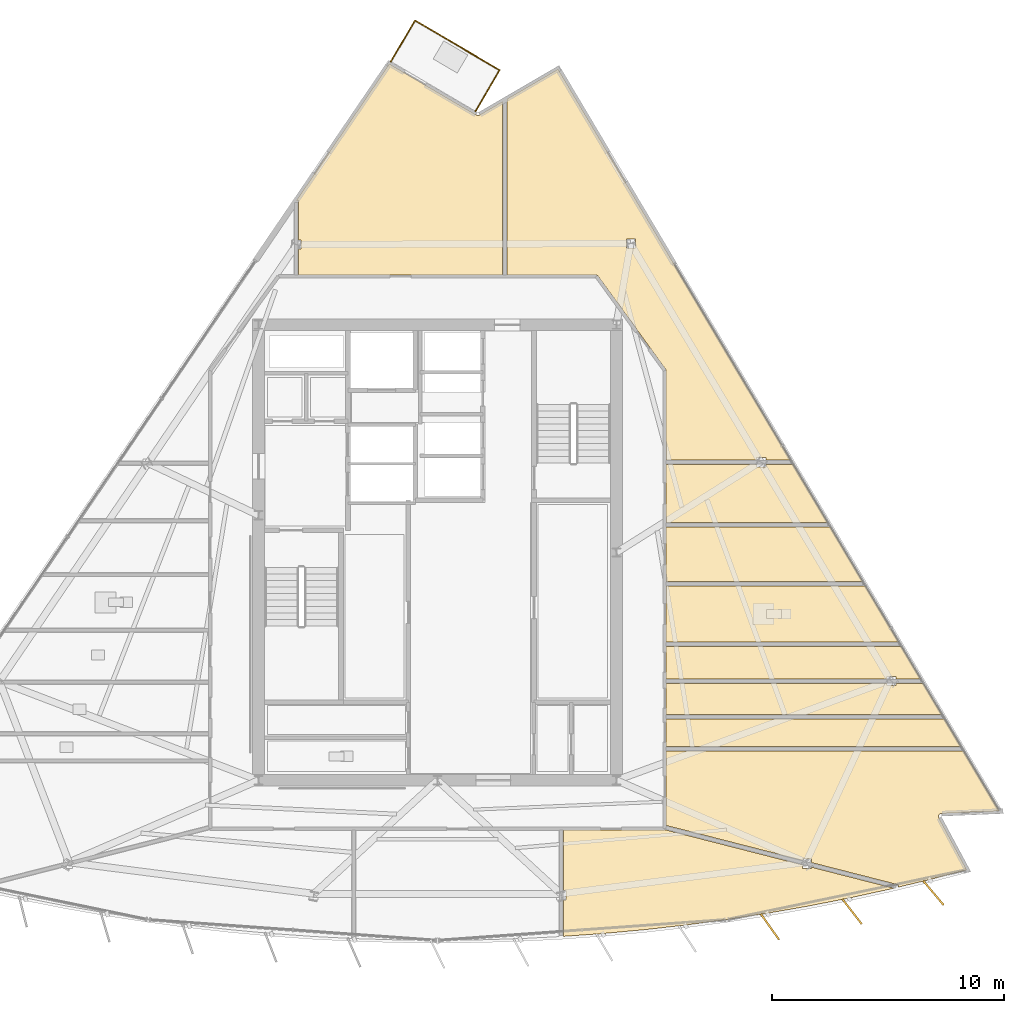
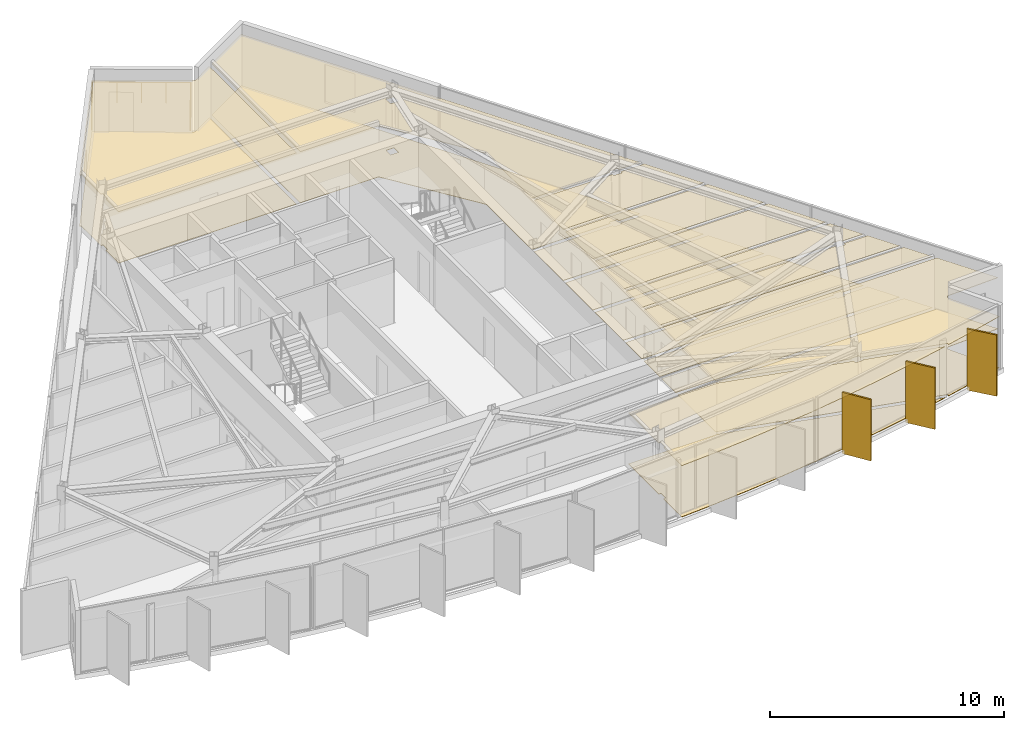
# One storey, part 12 of 13: 20 coverings, 3 railings, 3 shading devices.
"""IFC4 building model written with IfcOpenShell, lengths in metres."""

from ifc_helpers import new_model, si_unit, direction, frame, origin, origin_2d, place, context, subcontext, project, spatial, polyline, rectangle, circle, outline, extrude, material, layer, layer_set, type_object, element, save


model = new_model("IFC4")

# Units and contexts
model_context = context("Model", 3, precision=1e-05, world=origin(), true_north=direction((0.0, 1.0)))
body_context = subcontext(model_context, "Body", "Model", "MODEL_VIEW")
ifc_project = project(units=[si_unit("LENGTHUNIT", "METRE"), si_unit("AREAUNIT", "SQUARE_METRE"), si_unit("VOLUMEUNIT", "CUBIC_METRE"), si_unit("PLANEANGLEUNIT", "RADIAN"), si_unit("MASSUNIT", "GRAM", prefix="KILO")], contexts=[model_context])

# Site, building, storey
site_placement = place(None, origin())
site = spatial("IfcSite", under=ifc_project, at=site_placement, CompositionType="ELEMENT")
building_placement = place(site_placement, origin())
building = spatial("IfcBuilding", under=site, at=building_placement, Name="Savorim Split Tower", CompositionType="ELEMENT")
storey_placement = place(building_placement, frame((0.0, 0.0, 250.800048828125)))
storey = spatial("IfcBuildingStorey", under=building, at=storey_placement, Name="L66", CompositionType="ELEMENT", Elevation=250.800048828125)

# Coverings
ifc_material_1 = material(Name="Mineral Fibre Acoustic Ceiling")
ifc_layer_1 = layer(ifc_material_1, 0.02490234375)
ifc_layer_set_1 = layer_set([ifc_layer_1], Name="COV-CEIL-25")
covering_type_1 = type_object("IfcCoveringType", Name="COV-CEIL-25", PredefinedType="CEILING", material=ifc_layer_set_1)
covering_1_placement = place(storey_placement, frame((0.0, 0.0, 2.669921875)))
element("IfcCovering", 1, at=covering_1_placement, inside=storey, type_object=covering_type_1, Name="L66 Maker Workshop Acoustic Ceiling", PredefinedType="CEILING", context=body_context, shape_type="SweptSolid", body=[
    extrude(outline(polyline([(14.2060546875, -15.117919921875), (15.962646484375, -14.80908203125), (17.712890625, -14.464599609375), (19.45556640625, -14.084228515625), (19.6298828125, -14.04248046875), (16.087646484375, -13.136962890625), (16.087646484375, -13.1845703125), (15.693603515625, -13.1845703125), (15.693603515625, -13.036376953125), (9.81005859375, -11.53271484375), (9.768310546875, -11.52197265625), (9.76611328125, -11.5234375), (9.753662109375, -11.529296875), (9.740478515625, -11.533935546875), (9.727294921875, -11.537353515625), (9.713623046875, -11.539306640625), (9.699951171875, -11.5400390625), (5.4208984375, -11.5400390625), (5.4208984375, -14.149169921875), (5.522705078125, -14.149169921875), (5.522705078125, -14.541015625), (5.4208984375, -14.541015625), (5.4208984375, -16.070068359375), (5.4208984375, -16.11376953125), (7.126953125, -15.991455078125), (8.90283203125, -15.827392578125), (10.67529296875, -15.626953125), (12.443359375, -15.390380859375), (14.2060546875, -15.117919921875)])), origin(), (0.0, 0.0, 1.0), 0.025146484375),
])
covering_2_placement = place(storey_placement, frame((0.0, 0.0, 2.669921875)))
element("IfcCovering", 2, at=covering_2_placement, inside=storey, type_object=covering_type_1, Name="L66 Co-Working Commons Acoustic Ceiling", PredefinedType="CEILING", context=body_context, shape_type="SweptSolid", body=[
    extrude(outline(polyline([(21.639404296875, -10.830810546875), (21.650634765625, -10.828857421875), (21.662109375, -10.82763671875), (24.16357421875, -10.72119140625), (22.630859375, -8.1435546875), (9.840087890625, -8.1435546875), (9.840087890625, -11.34423828125), (15.693603515625, -12.840087890625), (15.693603515625, -12.79248046875), (16.087646484375, -12.79248046875), (16.087646484375, -12.94091796875), (19.747802734375, -13.87646484375), (19.83984375, -13.89990234375), (19.814697265625, -13.998046875), (21.18994140625, -13.668212890625), (22.769287109375, -13.25537109375), (21.5615234375, -11.00439453125), (21.556640625, -10.993896484375), (21.552734375, -10.983154296875), (21.5498046875, -10.971923828125), (21.548095703125, -10.96044921875), (21.54736328125, -10.948974609375), (21.547607421875, -10.9375), (21.54931640625, -10.926025390625), (21.552001953125, -10.914794921875), (21.5556640625, -10.90380859375), (21.560302734375, -10.893310546875), (21.56591796875, -10.88330078125), (21.57275390625, -10.873779296875), (21.580078125, -10.864990234375), (21.58837890625, -10.857177734375), (21.59765625, -10.849853515625), (21.607421875, -10.84375), (21.61767578125, -10.83837890625), (21.62841796875, -10.833984375), (21.639404296875, -10.830810546875)])), origin(), (0.0, 0.0, 1.0), 0.025146484375),
])
covering_3_placement = place(storey_placement, frame((0.0, 0.0, 2.669921875)))
element("IfcCovering", 3, at=covering_3_placement, inside=storey, type_object=covering_type_1, Name="L66 Co-Living Bedroom Acoustic Ceiling", PredefinedType="CEILING", context=body_context, shape_type="SweptSolid", body=[
    extrude(outline(polyline([(22.517822265625, -7.95361328125), (21.807861328125, -6.759765625), (9.840087890625, -6.759765625), (9.840087890625, -7.95361328125), (22.517822265625, -7.95361328125)])), origin(), (0.0, 0.0, 1.0), 0.025146484375),
])
covering_4_placement = place(storey_placement, frame((0.0, 0.0, 2.669921875)))
element("IfcCovering", 4, at=covering_4_placement, inside=storey, type_object=covering_type_1, Name="L66 Quiet Study Room Acoustic Ceiling", PredefinedType="CEILING", context=body_context, shape_type="SweptSolid", body=[
    extrude(outline(polyline([(19.3291015625, -5.330810546875), (19.3291015625, -5.229736328125), (9.840087890625, -5.229736328125), (9.840087890625, -6.56982421875), (21.69482421875, -6.56982421875), (20.87841796875, -5.196533203125), (20.87841796875, -5.229736328125), (19.722900390625, -5.229736328125), (19.722900390625, -5.330810546875), (19.3291015625, -5.330810546875)])), origin(), (0.0, 0.0, 1.0), 0.025146484375),
])
covering_5_placement = place(storey_placement, frame((0.0, 0.0, 2.669921875)))
element("IfcCovering", 5, at=covering_5_placement, inside=storey, type_object=covering_type_1, Name="L66 Quiet Study Room Acoustic Ceiling", PredefinedType="CEILING", context=body_context, shape_type="SweptSolid", body=[
    extrude(outline(polyline([(19.722900390625, -4.938720703125), (19.722900390625, -5.039794921875), (20.783447265625, -5.039794921875), (20.78515625, -5.039794921875), (19.95703125, -3.64697265625), (9.840087890625, -3.64697265625), (9.840087890625, -5.039794921875), (19.3291015625, -5.039794921875), (19.3291015625, -4.938720703125), (19.722900390625, -4.938720703125)])), origin(), (0.0, 0.0, 1.0), 0.025146484375),
])
covering_6_placement = place(storey_placement, frame((0.0, 0.0, 2.669921875)))
element("IfcCovering", 6, at=covering_6_placement, inside=storey, type_object=covering_type_1, Name="L66 Shared Bathroom Acoustic Ceiling", PredefinedType="CEILING", context=body_context, shape_type="SweptSolid", body=[
    extrude(outline(polyline([(19.843994140625, -3.45703125), (18.404296875, -1.035888671875), (9.840087890625, -1.035888671875), (9.840087890625, -3.45703125), (19.843994140625, -3.45703125)])), origin(), (0.0, 0.0, 1.0), 0.025146484375),
])
covering_7_placement = place(storey_placement, frame((0.0, 0.0, 2.669921875)))
element("IfcCovering", 7, at=covering_7_placement, inside=storey, type_object=covering_type_1, Name="L66 Co-Living Bedroom Acoustic Ceiling", PredefinedType="CEILING", context=body_context, shape_type="SweptSolid", body=[
    extrude(outline(polyline([(18.29150390625, -0.845947265625), (16.8955078125, 1.501708984375), (9.840087890625, 1.501708984375), (9.840087890625, -0.845947265625), (18.29150390625, -0.845947265625)])), origin(), (0.0, 0.0, 1.0), 0.025146484375),
])
covering_8_placement = place(storey_placement, frame((0.0, 0.0, 2.669921875)))
element("IfcCovering", 8, at=covering_8_placement, inside=storey, type_object=covering_type_1, Name="L66 Quiet Study Room Acoustic Ceiling", PredefinedType="CEILING", context=body_context, shape_type="SweptSolid", body=[
    extrude(outline(polyline([(13.730224609375, 4.0849609375), (13.730224609375, 4.185791015625), (9.840087890625, 4.185791015625), (9.840087890625, 1.69189453125), (16.782470703125, 1.69189453125), (15.27978515625, 4.218994140625), (15.27978515625, 4.185791015625), (14.124267578125, 4.185791015625), (14.124267578125, 4.0849609375), (13.730224609375, 4.0849609375)])), origin(), (0.0, 0.0, 1.0), 0.025146484375),
])
covering_9_placement = place(storey_placement, frame((0.0, 0.0, 2.669921875)))
element("IfcCovering", 9, at=covering_9_placement, inside=storey, type_object=covering_type_1, Name="L66 Maker Workshop Acoustic Ceiling", PredefinedType="CEILING", context=body_context, shape_type="SweptSolid", body=[
    extrude(outline(polyline([(15.184814453125, 4.3759765625), (15.186279296875, 4.3759765625), (5.188720703125, 21.189697265625), (2.997802734375, 19.9130859375), (2.997802734375, 12.340087890625), (6.800048828125, 12.340087890625), (6.813232421875, 12.33935546875), (6.826416015625, 12.33740234375), (6.839111328125, 12.33447265625), (6.8515625, 12.330078125), (6.863525390625, 12.32470703125), (6.875, 12.318115234375), (6.885986328125, 12.310546875), (6.89599609375, 12.302001953125), (6.905029296875, 12.29248046875), (6.913330078125, 12.2822265625), (9.813232421875, 8.2822265625), (9.8212890625, 8.27001953125), (9.827880859375, 8.2568359375), (9.833251953125, 8.2431640625), (9.8369140625, 8.22900390625), (9.839111328125, 8.214599609375), (9.840087890625, 8.199951171875), (9.840087890625, 4.3759765625), (13.730224609375, 4.3759765625), (13.730224609375, 4.476806640625), (14.124267578125, 4.476806640625), (14.124267578125, 4.3759765625), (15.184814453125, 4.3759765625)]), holes=[polyline([(8.525390625, 13.892333984375), (8.131591796875, 13.892333984375), (8.131591796875, 13.50048828125), (8.525390625, 13.50048828125), (8.525390625, 13.892333984375)])]), origin(), (0.0, 0.0, 1.0), 0.025146484375),
])
covering_10_placement = place(storey_placement, frame((0.0, 0.0, 2.669921875)))
element("IfcCovering", 10, at=covering_10_placement, inside=storey, type_object=covering_type_1, Name="L66 Co-Working Commons Acoustic Ceiling", PredefinedType="CEILING", context=body_context, shape_type="SweptSolid", body=[
    extrude(outline(polyline([(1.697265625, 19.2041015625), (1.6865234375, 19.20849609375), (1.676513671875, 19.213623046875), (-2.071533203125, 21.41650390625), (-6.0703125, 15.538330078125), (-5.9794921875, 15.538330078125), (-5.9794921875, 13.843505859375), (-5.87744140625, 13.843505859375), (-5.87744140625, 13.45166015625), (-5.9794921875, 13.45166015625), (-5.9794921875, 12.340087890625), (2.8076171875, 12.340087890625), (2.8076171875, 19.80224609375), (1.797607421875, 19.21337890625), (1.787353515625, 19.208251953125), (1.776611328125, 19.203857421875), (1.765625, 19.20068359375), (1.75439453125, 19.198486328125), (1.742919921875, 19.197265625), (1.731201171875, 19.197265625), (1.7197265625, 19.198486328125), (1.70849609375, 19.20068359375), (1.697265625, 19.2041015625)])), origin(), (0.0, 0.0, 1.0), 0.025146484375),
])
ifc_material_2 = material(Name="Porcelain Stoneware Flooring", Category="masonry")
ifc_layer_2 = layer(ifc_material_2, 0.02001953125)
ifc_layer_set_2 = layer_set([ifc_layer_2], Name="COV-FLOR-20")
covering_type_2 = type_object("IfcCoveringType", Name="COV-FLOR-20", PredefinedType="FLOORING", material=ifc_layer_set_2)
covering_11_placement = place(storey_placement, origin())
element("IfcCovering", 11, at=covering_11_placement, inside=storey, type_object=covering_type_2, Name="L66 Maker Workshop Porcelain Flooring", PredefinedType="FLOORING", context=body_context, shape_type="SweptSolid", body=[
    extrude(outline(polyline([(14.2060546875, -15.117919921875), (15.962646484375, -14.80908203125), (17.712890625, -14.464599609375), (19.45556640625, -14.084228515625), (19.6298828125, -14.04248046875), (16.087646484375, -13.136962890625), (16.087646484375, -13.1845703125), (15.693603515625, -13.1845703125), (15.693603515625, -13.036376953125), (9.81005859375, -11.53271484375), (9.768310546875, -11.52197265625), (9.76611328125, -11.5234375), (9.753662109375, -11.529296875), (9.740478515625, -11.533935546875), (9.727294921875, -11.537353515625), (9.713623046875, -11.539306640625), (9.699951171875, -11.5400390625), (5.4208984375, -11.5400390625), (5.4208984375, -14.149169921875), (5.522705078125, -14.149169921875), (5.522705078125, -14.541015625), (5.4208984375, -14.541015625), (5.4208984375, -16.070068359375), (5.4208984375, -16.11376953125), (7.126953125, -15.991455078125), (8.90283203125, -15.827392578125), (10.67529296875, -15.626953125), (12.443359375, -15.390380859375), (14.2060546875, -15.117919921875)])), origin(), (0.0, 0.0, 1.0), 0.02001953125),
])
covering_12_placement = place(storey_placement, origin())
element("IfcCovering", 12, at=covering_12_placement, inside=storey, type_object=covering_type_2, Name="L66 Co-Working Commons Porcelain Flooring", PredefinedType="FLOORING", context=body_context, shape_type="SweptSolid", body=[
    extrude(outline(polyline([(21.639404296875, -10.830810546875), (21.650634765625, -10.828857421875), (21.662109375, -10.82763671875), (24.16357421875, -10.72119140625), (22.630859375, -8.1435546875), (9.840087890625, -8.1435546875), (9.840087890625, -11.34423828125), (15.693603515625, -12.840087890625), (15.693603515625, -12.79248046875), (16.087646484375, -12.79248046875), (16.087646484375, -12.94091796875), (19.747802734375, -13.87646484375), (19.83984375, -13.89990234375), (19.814697265625, -13.998046875), (21.18994140625, -13.668212890625), (22.769287109375, -13.25537109375), (21.5615234375, -11.00439453125), (21.556640625, -10.993896484375), (21.552734375, -10.983154296875), (21.5498046875, -10.971923828125), (21.548095703125, -10.96044921875), (21.54736328125, -10.948974609375), (21.547607421875, -10.9375), (21.54931640625, -10.926025390625), (21.552001953125, -10.914794921875), (21.5556640625, -10.90380859375), (21.560302734375, -10.893310546875), (21.56591796875, -10.88330078125), (21.57275390625, -10.873779296875), (21.580078125, -10.864990234375), (21.58837890625, -10.857177734375), (21.59765625, -10.849853515625), (21.607421875, -10.84375), (21.61767578125, -10.83837890625), (21.62841796875, -10.833984375), (21.639404296875, -10.830810546875)])), origin(), (0.0, 0.0, 1.0), 0.02001953125),
])
covering_13_placement = place(storey_placement, origin())
element("IfcCovering", 13, at=covering_13_placement, inside=storey, type_object=covering_type_2, Name="L66 Co-Living Bedroom Porcelain Flooring", PredefinedType="FLOORING", context=body_context, shape_type="SweptSolid", body=[
    extrude(outline(polyline([(22.517822265625, -7.95361328125), (21.807861328125, -6.759765625), (9.840087890625, -6.759765625), (9.840087890625, -7.95361328125), (22.517822265625, -7.95361328125)])), origin(), (0.0, 0.0, 1.0), 0.02001953125),
])
covering_14_placement = place(storey_placement, origin())
element("IfcCovering", 14, at=covering_14_placement, inside=storey, type_object=covering_type_2, Name="L66 Quiet Study Room Porcelain Flooring", PredefinedType="FLOORING", context=body_context, shape_type="SweptSolid", body=[
    extrude(outline(polyline([(19.3291015625, -5.330810546875), (19.3291015625, -5.229736328125), (9.840087890625, -5.229736328125), (9.840087890625, -6.56982421875), (21.69482421875, -6.56982421875), (20.87841796875, -5.196533203125), (20.87841796875, -5.229736328125), (19.722900390625, -5.229736328125), (19.722900390625, -5.330810546875), (19.3291015625, -5.330810546875)])), origin(), (0.0, 0.0, 1.0), 0.02001953125),
])
covering_15_placement = place(storey_placement, origin())
element("IfcCovering", 15, at=covering_15_placement, inside=storey, type_object=covering_type_2, Name="L66 Quiet Study Room Porcelain Flooring", PredefinedType="FLOORING", context=body_context, shape_type="SweptSolid", body=[
    extrude(outline(polyline([(19.722900390625, -4.938720703125), (19.722900390625, -5.039794921875), (20.783447265625, -5.039794921875), (20.78515625, -5.039794921875), (19.95703125, -3.64697265625), (9.840087890625, -3.64697265625), (9.840087890625, -5.039794921875), (19.3291015625, -5.039794921875), (19.3291015625, -4.938720703125), (19.722900390625, -4.938720703125)])), origin(), (0.0, 0.0, 1.0), 0.02001953125),
])
covering_16_placement = place(storey_placement, origin())
element("IfcCovering", 16, at=covering_16_placement, inside=storey, type_object=covering_type_2, Name="L66 Shared Bathroom Porcelain Flooring", PredefinedType="FLOORING", context=body_context, shape_type="SweptSolid", body=[
    extrude(outline(polyline([(19.843994140625, -3.45703125), (18.404296875, -1.035888671875), (9.840087890625, -1.035888671875), (9.840087890625, -3.45703125), (19.843994140625, -3.45703125)])), origin(), (0.0, 0.0, 1.0), 0.02001953125),
])
covering_17_placement = place(storey_placement, origin())
element("IfcCovering", 17, at=covering_17_placement, inside=storey, type_object=covering_type_2, Name="L66 Co-Living Bedroom Porcelain Flooring", PredefinedType="FLOORING", context=body_context, shape_type="SweptSolid", body=[
    extrude(outline(polyline([(18.29150390625, -0.845947265625), (16.8955078125, 1.501708984375), (9.840087890625, 1.501708984375), (9.840087890625, -0.845947265625), (18.29150390625, -0.845947265625)])), origin(), (0.0, 0.0, 1.0), 0.02001953125),
])
covering_18_placement = place(storey_placement, origin())
element("IfcCovering", 18, at=covering_18_placement, inside=storey, type_object=covering_type_2, Name="L66 Quiet Study Room Porcelain Flooring", PredefinedType="FLOORING", context=body_context, shape_type="SweptSolid", body=[
    extrude(outline(polyline([(13.730224609375, 4.0849609375), (13.730224609375, 4.185791015625), (9.840087890625, 4.185791015625), (9.840087890625, 1.69189453125), (16.782470703125, 1.69189453125), (15.27978515625, 4.218994140625), (15.27978515625, 4.185791015625), (14.124267578125, 4.185791015625), (14.124267578125, 4.0849609375), (13.730224609375, 4.0849609375)])), origin(), (0.0, 0.0, 1.0), 0.02001953125),
])
covering_19_placement = place(storey_placement, origin())
element("IfcCovering", 19, at=covering_19_placement, inside=storey, type_object=covering_type_2, Name="L66 Maker Workshop Porcelain Flooring", PredefinedType="FLOORING", context=body_context, shape_type="SweptSolid", body=[
    extrude(outline(polyline([(15.184814453125, 4.3759765625), (15.186279296875, 4.3759765625), (5.188720703125, 21.189697265625), (2.997802734375, 19.9130859375), (2.997802734375, 12.340087890625), (6.800048828125, 12.340087890625), (6.813232421875, 12.33935546875), (6.826416015625, 12.33740234375), (6.839111328125, 12.33447265625), (6.8515625, 12.330078125), (6.863525390625, 12.32470703125), (6.875, 12.318115234375), (6.885986328125, 12.310546875), (6.89599609375, 12.302001953125), (6.905029296875, 12.29248046875), (6.913330078125, 12.2822265625), (9.813232421875, 8.2822265625), (9.8212890625, 8.27001953125), (9.827880859375, 8.2568359375), (9.833251953125, 8.2431640625), (9.8369140625, 8.22900390625), (9.839111328125, 8.214599609375), (9.840087890625, 8.199951171875), (9.840087890625, 4.3759765625), (13.730224609375, 4.3759765625), (13.730224609375, 4.476806640625), (14.124267578125, 4.476806640625), (14.124267578125, 4.3759765625), (15.184814453125, 4.3759765625)]), holes=[polyline([(8.525390625, 13.892333984375), (8.131591796875, 13.892333984375), (8.131591796875, 13.50048828125), (8.525390625, 13.50048828125), (8.525390625, 13.892333984375)])]), origin(), (0.0, 0.0, 1.0), 0.02001953125),
])
covering_20_placement = place(storey_placement, origin())
element("IfcCovering", 20, at=covering_20_placement, inside=storey, type_object=covering_type_2, Name="L66 Co-Working Commons Porcelain Flooring", PredefinedType="FLOORING", context=body_context, shape_type="SweptSolid", body=[
    extrude(outline(polyline([(1.697265625, 19.2041015625), (1.6865234375, 19.20849609375), (1.676513671875, 19.213623046875), (-2.071533203125, 21.41650390625), (-6.0703125, 15.538330078125), (-5.9794921875, 15.538330078125), (-5.9794921875, 13.843505859375), (-5.87744140625, 13.843505859375), (-5.87744140625, 13.45166015625), (-5.9794921875, 13.45166015625), (-5.9794921875, 12.340087890625), (2.8076171875, 12.340087890625), (2.8076171875, 19.80224609375), (1.797607421875, 19.21337890625), (1.787353515625, 19.208251953125), (1.776611328125, 19.203857421875), (1.765625, 19.20068359375), (1.75439453125, 19.198486328125), (1.742919921875, 19.197265625), (1.731201171875, 19.197265625), (1.7197265625, 19.198486328125), (1.70849609375, 19.20068359375), (1.697265625, 19.2041015625)])), origin(), (0.0, 0.0, 1.0), 0.02001953125),
])

# Railings
ifc_material_3 = material(Name="Galvanised Painted Steel Balustrade", Category="steel")
railing_type = type_object("IfcRailingType", Name="RLG-BAL-1100", PredefinedType="BALUSTRADE", material=ifc_material_3)
railing_1_placement = place(storey_placement, frame((-2.004150390625, 21.51611328125, 0.0)))
element("IfcRailing", 21, at=railing_1_placement, inside=storey, type_object=railing_type, Name="L66 Tree Balcony Guardrail N-1", PredefinedType="BALUSTRADE", context=body_context, shape_type="SweptSolid", body=[
    extrude(circle(Radius=0.02392578125, at=origin_2d()), frame((0.0, 0.0, 1.076171875), z_axis=(0.506733850669, 0.862102548764, 0.0), x_axis=(-0.862102548764, 0.506733850669, 0.0)), (0.0, 0.0, 1.0), 2.050048828125),
    extrude(circle(Radius=0.02099609375, at=origin_2d()), origin(), (0.0, 0.0, 1.0), 1.052001953125),
    extrude(circle(Radius=0.02099609375, at=origin_2d()), frame((0.51953125, 0.8837890625, 0.0)), (0.0, 0.0, 1.0), 1.052001953125),
    extrude(circle(Radius=0.02099609375, at=origin_2d()), frame((1.038818359375, 1.767333984375, 0.0)), (0.0, 0.0, 1.0), 1.052001953125),
])
railing_2_placement = place(storey_placement, frame((-0.96533203125, 23.283447265625, 0.0)))
element("IfcRailing", 22, at=railing_2_placement, inside=storey, type_object=railing_type, Name="L66 Tree Balcony Guardrail N-2", PredefinedType="BALUSTRADE", context=body_context, shape_type="SweptSolid", body=[
    extrude(circle(Radius=0.02392578125, at=origin_2d()), frame((0.0, 0.0, 1.076171875), z_axis=(0.862129004769, -0.506688838575, 0.0), x_axis=(0.506688838575, 0.862129004769, 0.0)), (0.0, 0.0, 1.0), 4.219482421875),
    extrude(circle(Radius=0.02099609375, at=origin_2d()), origin(), (0.0, 0.0, 1.0), 1.052001953125),
    extrude(circle(Radius=0.02099609375, at=origin_2d()), frame((0.909423828125, -0.534423828125, 0.0)), (0.0, 0.0, 1.0), 1.052001953125),
    extrude(circle(Radius=0.02099609375, at=origin_2d()), frame((1.81884765625, -1.06884765625, 0.0)), (0.0, 0.0, 1.0), 1.052001953125),
    extrude(circle(Radius=0.02099609375, at=origin_2d()), frame((2.728271484375, -1.603515625, 0.0)), (0.0, 0.0, 1.0), 1.052001953125),
    extrude(circle(Radius=0.02099609375, at=origin_2d()), frame((3.6376953125, -2.137939453125, 0.0)), (0.0, 0.0, 1.0), 1.052001953125),
])
railing_3_placement = place(storey_placement, frame((2.67236328125, 21.1455078125, 0.0)))
element("IfcRailing", 23, at=railing_3_placement, inside=storey, type_object=railing_type, Name="L66 Tree Balcony Guardrail N-3", PredefinedType="BALUSTRADE", context=body_context, shape_type="SweptSolid", body=[
    extrude(circle(Radius=0.02392578125, at=origin_2d()), frame((0.0, 0.0, 1.076171875), z_axis=(-0.506593312838, -0.862185139856, 0.0), x_axis=(0.862185139856, -0.506593312838, 0.0)), (0.0, 0.0, 1.0), 2.050048828125),
    extrude(circle(Radius=0.02099609375, at=origin_2d()), origin(), (0.0, 0.0, 1.0), 1.052001953125),
    extrude(circle(Radius=0.02099609375, at=origin_2d()), frame((-0.519287109375, -0.8837890625, 0.0)), (0.0, 0.0, 1.0), 1.052001953125),
    extrude(circle(Radius=0.02099609375, at=origin_2d()), frame((-1.03857421875, -1.767578125, 0.0)), (0.0, 0.0, 1.0), 1.052001953125),
])

# Shading devices
ifc_material_4 = material(Name="Terracotta Ceramic-Coated Aluminium Fin", Category="masonry")
shading_device_type = type_object("IfcShadingDeviceType", Name="SHD-FIN-1360", PredefinedType="USERDEFINED", material=ifc_material_4)
for number, where, z_axis, x_axis, name in (
    (24, (14.302978515625, -15.705810546875, -0.2001953125), (0.0, 0.0, 1.0), (0.578993757737, -0.815331974414, 0.0), "L66 Sawtooth Shading Fin 11"),
    (25, (17.833984375, -15.048095703125, -0.2001953125), (0.0, 0.0, 1.0), (0.611868076908, -0.790959832394, 0.0), "L66 Sawtooth Shading Fin 12"),
    (26, (21.3349609375, -14.246337890625, -0.2001953125), (0.0, 0.0, 1.0), (0.643719022682, -0.765261928909, 0.0), "L66 Sawtooth Shading Fin 13"),
):
    element("IfcShadingDevice", number, at=place(storey_placement, frame(where, z_axis=z_axis, x_axis=x_axis)), inside=storey, type_object=shading_device_type, Name=name, ObjectType="FIN", PredefinedType="USERDEFINED", context=body_context, shape_type="SweptSolid", body=[
        extrude(rectangle(XDim=1.360107421875, YDim=0.080078125, at=origin_2d()), origin(), (0.0, 0.0, 1.0), 3.199951171875),
    ])

save(model, "model.ifc")
